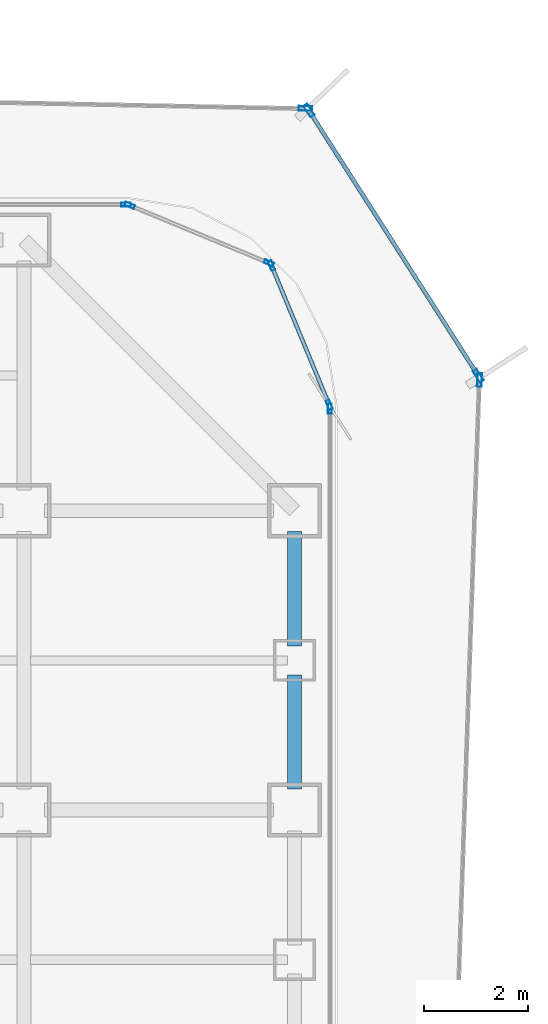
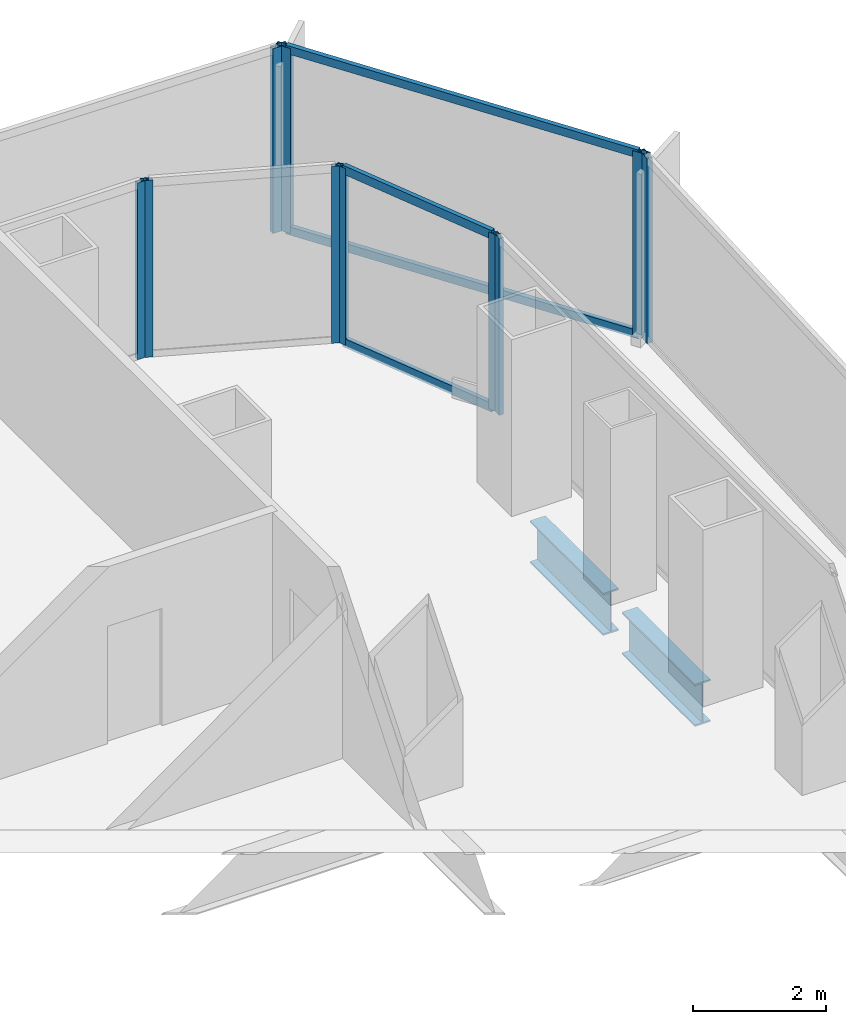
# One storey, part 15 of 22: 14 members, 2 beams, 7 elements without a shape of their own.
"""IFC4 building model written with IfcOpenShell, lengths in metres."""

from ifc_helpers import new_model, si_unit, direction, frame, origin, origin_2d, place, context, subcontext, project, spatial, hollow_rectangle, i_section, extrude, source, transform, mapped, material, layer, layer_set, material_profile, profile_set, type_object, element, aggregate, save


model = new_model("IFC4")

# Units and contexts
model_context = context("Model", 3, precision=1e-05, world=origin(), true_north=direction((0.0, 1.0)))
body_context = subcontext(model_context, "Body", "Model", "MODEL_VIEW")
ifc_project = project(units=[si_unit("LENGTHUNIT", "METRE"), si_unit("AREAUNIT", "SQUARE_METRE"), si_unit("VOLUMEUNIT", "CUBIC_METRE"), si_unit("PLANEANGLEUNIT", "RADIAN"), si_unit("MASSUNIT", "GRAM", prefix="KILO")], contexts=[model_context])

# Site, building, storey
site_placement = place(None, origin())
site = spatial("IfcSite", under=ifc_project, at=site_placement, CompositionType="ELEMENT")
building_placement = place(site_placement, origin())
building = spatial("IfcBuilding", under=site, at=building_placement, Name="Kolveth Station Tower", CompositionType="ELEMENT")
storey_placement = place(building_placement, frame((0.0, 0.0, 84.60009765625)))
storey = spatial("IfcBuildingStorey", under=building, at=storey_placement, Name="L22", CompositionType="ELEMENT", Elevation=84.60009765625)

# Beams
ifc_material_1 = material(Name="Steel S355", Category="steel")
ifc_material_profile_1 = material_profile(ifc_material_1, i_section(OverallWidth=0.26904296875, OverallDepth=0.77490234375, WebThickness=0.01708984375, FlangeThickness=0.0283203125, at=origin_2d()), Name="W760x220")
ifc_profile_set_1 = profile_set([ifc_material_profile_1], Name="Steel S355")
beam_type = type_object("IfcBeamType", Name="Beam_SP1", PredefinedType="SPANDREL", material=ifc_profile_set_1)
shared_shape_1 = source(origin(), body_context, "Body", "SweptSolid", [
    extrude(i_section(OverallWidth=0.26904296875, OverallDepth=0.77490234375, WebThickness=0.01708984375, FlangeThickness=0.0283203125, at=origin_2d()), origin(), (0.0, 0.0, 1.0), 2.2001953125),
])
beam_1_placement = place(storey_placement, frame((46.199951171875, 31.89990234375, -0.66748046875), z_axis=(0.0, 1.0, 0.0), x_axis=(-1.0, 0.0, 0.0)))
element("IfcBeam", 1, at=beam_1_placement, inside=storey, type_object=beam_type, Name="L22 Perimeter Spandrel BM-L22-PE-10", PredefinedType="SPANDREL", context=body_context, shape_type="MappedRepresentation", body=[
    mapped(shared_shape_1, transform((0.0, 0.0, 0.0), x_axis=(1.0, 0.0, 0.0), y_axis=(0.0, 1.0, 0.0), z_axis=(0.0, 0.0, 1.0), scale=1.0)),
])
shared_shape_2 = source(origin(), body_context, "Body", "SweptSolid", [
    extrude(i_section(OverallWidth=0.26904296875, OverallDepth=0.77490234375, WebThickness=0.01708984375, FlangeThickness=0.0283203125, at=origin_2d()), origin(), (0.0, 0.0, 1.0), 2.190185546875),
])
beam_2_placement = place(storey_placement, frame((46.199951171875, 29.14990234375, -0.66748046875), z_axis=(0.0, 1.0, 0.0), x_axis=(-1.0, 0.0, 0.0)))
element("IfcBeam", 2, at=beam_2_placement, inside=storey, type_object=beam_type, Name="L22 Perimeter Spandrel BM-L22-PE-9", PredefinedType="SPANDREL", context=body_context, shape_type="MappedRepresentation", body=[
    mapped(shared_shape_2, transform((0.0, 0.0, 0.0), x_axis=(1.0, 0.0, 0.0), y_axis=(0.0, 1.0, 0.0), z_axis=(0.0, 0.0, 1.0), scale=1.0)),
])

# Curtain wall, members
ifc_material_2 = material(Name="Aluminium 6063-T6 and low-E dark glass", Category="aluminium")
ifc_layer_1 = layer(ifc_material_2, 0.179931640625)
ifc_layer_set_1 = layer_set([ifc_layer_1], Name="Aluminium 6063-T6 and low-E dark glass")
curtain_wall_type_1 = type_object("IfcCurtainWallType", Name="CurtainWall_CW-Z1", PredefinedType="NOTDEFINED", material=ifc_layer_set_1)
curtain_wall_1_placement = place(storey_placement, origin())
curtain_wall_1 = element("IfcCurtainWall", 3, at=curtain_wall_1_placement, inside=storey, type_object=curtain_wall_type_1, Name="L22 Inner Thermal Curtain Wall 4", PredefinedType="NOTDEFINED")
ifc_material_3 = material(Name="Black anodized aluminium 6063-T6", Category="aluminium")
ifc_material_profile_2 = material_profile(ifc_material_3, hollow_rectangle(XDim=0.074951171875, YDim=0.159912109375, WallThickness=0.0048828125, at=origin_2d()), Name="ALU-75x160x5")
ifc_profile_set_2 = profile_set([ifc_material_profile_2], Name="Black anodized aluminium 6063-T6")
member_type_1 = type_object("IfcMemberType", Name="Transom_TR1", PredefinedType="USERDEFINED", material=ifc_profile_set_2)
shared_shape_3 = source(origin(), body_context, "Body", "SweptSolid", [
    extrude(hollow_rectangle(XDim=0.074951171875, YDim=0.159912109375, WallThickness=0.0048828125, at=origin_2d()), origin(), (0.0, 0.0, 1.0), 2.819580078125),
])
member_1_placement = place(storey_placement, frame((46.851318359375, 36.5693359375, 0.037353515625), z_axis=(-0.382708655389, 0.923869084389, 0.0), x_axis=(-0.923869084389, -0.382708655389, 0.0)))
member_1 = element("IfcMember", 4, at=member_1_placement, type_object=member_type_1, Name="CW-Z1 transom 1.1", ObjectType="TRANSOM", PredefinedType="USERDEFINED", context=body_context, shape_type="MappedRepresentation", body=[
    mapped(shared_shape_3, transform((0.0, 0.0, 0.0), x_axis=(1.0, 0.0, 0.0), y_axis=(0.0, 1.0, 0.0), z_axis=(0.0, 0.0, 1.0), scale=1.0)),
])
member_2_placement = place(storey_placement, frame((46.851318359375, 36.5693359375, 3.202392578125), z_axis=(-0.382708655389, 0.923869084389, 0.0), x_axis=(-0.923869084389, -0.382708655389, 0.0)))
member_2 = element("IfcMember", 5, at=member_2_placement, type_object=member_type_1, Name="CW-Z1 transom 1.2", ObjectType="TRANSOM", PredefinedType="USERDEFINED", context=body_context, shape_type="MappedRepresentation", body=[
    mapped(shared_shape_3, transform((0.0, 0.0, 0.0), x_axis=(1.0, 0.0, 0.0), y_axis=(0.0, 1.0, 0.0), z_axis=(0.0, 0.0, 1.0), scale=1.0)),
])

# Curtain wall, member
ifc_material_4 = material(Name="Black anodized aluminium 6063-T6 and dark solar glass", Category="aluminium")
ifc_layer_2 = layer(ifc_material_4, 0.159912109375)
ifc_layer_set_2 = layer_set([ifc_layer_2], Name="Black anodized aluminium 6063-T6 and dark solar glass")
curtain_wall_type_2 = type_object("IfcCurtainWallType", Name="OUTER SKIN CW-OS", PredefinedType="NOTDEFINED", material=ifc_layer_set_2)
curtain_wall_2_placement = place(storey_placement, origin())
curtain_wall_2 = element("IfcCurtainWall", 6, at=curtain_wall_2_placement, inside=storey, type_object=curtain_wall_type_2, Name="L22 Outer Ventilated Skin Curtain Wall 2", PredefinedType="NOTDEFINED")
ifc_material_profile_3 = material_profile(ifc_material_3, hollow_rectangle(XDim=0.090087890625, YDim=0.260009765625, WallThickness=0.0048828125, at=origin_2d()), Name="ALU-90x260x5")
ifc_profile_set_3 = profile_set([ifc_material_profile_3], Name="Black anodized aluminium 6063-T6")
member_type_2 = type_object("IfcMemberType", Name="FIN MULLION ML-OS", PredefinedType="MULLION", material=ifc_profile_set_3)
shared_shape_4 = source(origin(), body_context, "Body", "SweptSolid", [
    extrude(hollow_rectangle(XDim=0.090087890625, YDim=0.260009765625, WallThickness=0.0048828125, at=origin_2d()), origin(), (0.0, 0.0, 1.0), 3.389892578125),
])
member_3_placement = place(storey_placement, frame((49.753173828125, 37.010498046875, 0.0), z_axis=(0.0, 0.0, 1.0), x_axis=(-0.999412044869, 0.034286507121, 0.0)))
member_3 = element("IfcMember", 7, at=member_3_placement, type_object=member_type_2, Name="CW-OS mullion 2", PredefinedType="MULLION", context=body_context, shape_type="MappedRepresentation", body=[
    mapped(shared_shape_4, transform((0.0, 0.0, 0.0), x_axis=(1.0, 0.0, 0.0), y_axis=(0.0, 1.0, 0.0), z_axis=(0.0, 0.0, 1.0), scale=1.0)),
])
aggregate(curtain_wall_2, [member_3])

# Curtain wall, members
curtain_wall_3_placement = place(storey_placement, origin())
curtain_wall_3 = element("IfcCurtainWall", 8, at=curtain_wall_3_placement, inside=storey, type_object=curtain_wall_type_2, Name="L22 Outer Ventilated Skin Curtain Wall 3", PredefinedType="NOTDEFINED")
member_4_placement = place(storey_placement, frame((49.73046875, 37.09326171875, 0.0), z_axis=(0.0, 0.0, 1.0), x_axis=(-0.842853330631, -0.538143348044, 0.0)))
member_4 = element("IfcMember", 9, at=member_4_placement, type_object=member_type_2, Name="CW-OS mullion 1", PredefinedType="MULLION", context=body_context, shape_type="MappedRepresentation", body=[
    mapped(shared_shape_4, transform((0.0, 0.0, 0.0), x_axis=(1.0, 0.0, 0.0), y_axis=(0.0, 1.0, 0.0), z_axis=(0.0, 0.0, 1.0), scale=1.0)),
])
member_5_placement = place(storey_placement, frame((46.476318359375, 42.189697265625, 0.0), z_axis=(0.0, 0.0, 1.0), x_axis=(-0.842853330631, -0.538143348044, 0.0)))
member_5 = element("IfcMember", 10, at=member_5_placement, type_object=member_type_2, Name="CW-OS mullion 2", PredefinedType="MULLION", context=body_context, shape_type="MappedRepresentation", body=[
    mapped(shared_shape_4, transform((0.0, 0.0, 0.0), x_axis=(1.0, 0.0, 0.0), y_axis=(0.0, 1.0, 0.0), z_axis=(0.0, 0.0, 1.0), scale=1.0)),
])

# Curtain wall, member
curtain_wall_4_placement = place(storey_placement, origin())
curtain_wall_4 = element("IfcCurtainWall", 11, at=curtain_wall_4_placement, inside=storey, type_object=curtain_wall_type_2, Name="L22 Outer Ventilated Skin Curtain Wall 4", PredefinedType="NOTDEFINED")
member_6_placement = place(storey_placement, frame((46.4072265625, 42.228515625, 0.0), z_axis=(0.0, 0.0, 1.0), x_axis=(-0.020048935948, -0.999798999883, 0.0)))
member_6 = element("IfcMember", 12, at=member_6_placement, type_object=member_type_2, Name="CW-OS mullion 1", PredefinedType="MULLION", context=body_context, shape_type="MappedRepresentation", body=[
    mapped(shared_shape_4, transform((0.0, 0.0, 0.0), x_axis=(1.0, 0.0, 0.0), y_axis=(0.0, 1.0, 0.0), z_axis=(0.0, 0.0, 1.0), scale=1.0)),
])
aggregate(curtain_wall_4, [member_6])

curtain_wall_5_placement = place(storey_placement, origin())
curtain_wall_5 = element("IfcCurtainWall", 13, at=curtain_wall_5_placement, inside=storey, type_object=curtain_wall_type_1, Name="L22 Inner Thermal Curtain Wall 3", PredefinedType="NOTDEFINED")
ifc_material_profile_4 = material_profile(ifc_material_3, hollow_rectangle(XDim=0.074951171875, YDim=0.18994140625, WallThickness=0.0048828125, at=origin_2d()), Name="ALU-75x190x5")
ifc_profile_set_4 = profile_set([ifc_material_profile_4], Name="Black anodized aluminium 6063-T6")
member_type_3 = type_object("IfcMemberType", Name="Mullion_ML1", PredefinedType="MULLION", material=ifc_profile_set_4)
shared_shape_5 = source(origin(), body_context, "Body", "SweptSolid", [
    extrude(hollow_rectangle(XDim=0.074951171875, YDim=0.18994140625, WallThickness=0.0048828125, at=origin_2d()), origin(), (0.0, 0.0, 1.0), 3.239990234375),
])
member_7_placement = place(storey_placement, frame((46.8798828125, 36.46240234375, 0.0), z_axis=(0.0, 0.0, 1.0), x_axis=(-1.0, 0.0, 0.0)))
member_7 = element("IfcMember", 14, at=member_7_placement, type_object=member_type_3, Name="CW-Z1 mullion 2", PredefinedType="MULLION", context=body_context, shape_type="MappedRepresentation", body=[
    mapped(shared_shape_5, transform((0.0, 0.0, 0.0), x_axis=(1.0, 0.0, 0.0), y_axis=(0.0, 1.0, 0.0), z_axis=(0.0, 0.0, 1.0), scale=1.0)),
])
aggregate(curtain_wall_5, [member_7])

# Member
member_8_placement = place(storey_placement, frame((46.86572265625, 36.53466796875, 0.0), z_axis=(0.0, 0.0, 1.0), x_axis=(-0.923883857728, -0.382672990201, 0.0)))
member_8 = element("IfcMember", 15, at=member_8_placement, type_object=member_type_3, Name="CW-Z1 mullion 1", PredefinedType="MULLION", context=body_context, shape_type="MappedRepresentation", body=[
    mapped(shared_shape_5, transform((0.0, 0.0, 0.0), x_axis=(1.0, 0.0, 0.0), y_axis=(0.0, 1.0, 0.0), z_axis=(0.0, 0.0, 1.0), scale=1.0)),
])

member_9_placement = place(storey_placement, frame((45.758056640625, 39.208984375, 0.0), z_axis=(0.0, 0.0, 1.0), x_axis=(-0.923883857728, -0.382672990201, 0.0)))
member_9 = element("IfcMember", 16, at=member_9_placement, type_object=member_type_3, Name="CW-Z1 mullion 2", PredefinedType="MULLION", context=body_context, shape_type="MappedRepresentation", body=[
    mapped(shared_shape_5, transform((0.0, 0.0, 0.0), x_axis=(1.0, 0.0, 0.0), y_axis=(0.0, 1.0, 0.0), z_axis=(0.0, 0.0, 1.0), scale=1.0)),
])

aggregate(curtain_wall_1, [member_8, member_9, member_1, member_2])

# Curtain wall, members
curtain_wall_6_placement = place(storey_placement, origin())
curtain_wall_6 = element("IfcCurtainWall", 17, at=curtain_wall_6_placement, inside=storey, type_object=curtain_wall_type_1, Name="L22 Inner Thermal Curtain Wall 5", PredefinedType="NOTDEFINED")
member_10_placement = place(storey_placement, frame((45.708984375, 39.258056640625, 0.0), z_axis=(0.0, 0.0, 1.0), x_axis=(-0.382672990201, -0.923883857728, 0.0)))
member_10 = element("IfcMember", 18, at=member_10_placement, type_object=member_type_3, Name="CW-Z1 mullion 1", PredefinedType="MULLION", context=body_context, shape_type="MappedRepresentation", body=[
    mapped(shared_shape_5, transform((0.0, 0.0, 0.0), x_axis=(1.0, 0.0, 0.0), y_axis=(0.0, 1.0, 0.0), z_axis=(0.0, 0.0, 1.0), scale=1.0)),
])
member_11_placement = place(storey_placement, frame((43.03466796875, 40.36572265625, 0.0), z_axis=(0.0, 0.0, 1.0), x_axis=(-0.382672990201, -0.923883857728, 0.0)))
member_11 = element("IfcMember", 19, at=member_11_placement, type_object=member_type_3, Name="CW-Z1 mullion 2", PredefinedType="MULLION", context=body_context, shape_type="MappedRepresentation", body=[
    mapped(shared_shape_5, transform((0.0, 0.0, 0.0), x_axis=(1.0, 0.0, 0.0), y_axis=(0.0, 1.0, 0.0), z_axis=(0.0, 0.0, 1.0), scale=1.0)),
])
aggregate(curtain_wall_6, [member_10, member_11])

# Curtain wall, member
curtain_wall_7_placement = place(storey_placement, origin())
curtain_wall_7 = element("IfcCurtainWall", 20, at=curtain_wall_7_placement, inside=storey, type_object=curtain_wall_type_1, Name="L22 Inner Thermal Curtain Wall 6", PredefinedType="NOTDEFINED")
member_12_placement = place(storey_placement, frame((42.96240234375, 40.3798828125, 0.0), z_axis=(0.0, 0.0, 1.0), x_axis=(0.0, -1.0, 0.0)))
member_12 = element("IfcMember", 21, at=member_12_placement, type_object=member_type_3, Name="CW-Z1 mullion 1", PredefinedType="MULLION", context=body_context, shape_type="MappedRepresentation", body=[
    mapped(shared_shape_5, transform((0.0, 0.0, 0.0), x_axis=(1.0, 0.0, 0.0), y_axis=(0.0, 1.0, 0.0), z_axis=(0.0, 0.0, 1.0), scale=1.0)),
])
aggregate(curtain_wall_7, [member_12])

# Member
ifc_material_profile_5 = material_profile(ifc_material_3, hollow_rectangle(XDim=0.080078125, YDim=0.14990234375, WallThickness=0.0048828125, at=origin_2d()), Name="ALU-80x150x5")
ifc_profile_set_5 = profile_set([ifc_material_profile_5], Name="Black anodized aluminium 6063-T6")
member_type_4 = type_object("IfcMemberType", Name="Transom_TR-OS", PredefinedType="USERDEFINED", material=ifc_profile_set_5)
shared_shape_6 = source(origin(), body_context, "Body", "SweptSolid", [
    extrude(hollow_rectangle(XDim=0.080078125, YDim=0.14990234375, WallThickness=0.0048828125, at=origin_2d()), origin(), (0.0, 0.0, 1.0), 5.95654296875),
])
member_13_placement = place(storey_placement, frame((49.7060546875, 37.13134765625, 0.039794921875), z_axis=(-0.538124056113, 0.842865647795, 0.0), x_axis=(-0.842865647795, -0.538124056113, 0.0)))
member_13 = element("IfcMember", 22, at=member_13_placement, type_object=member_type_4, Name="CW-OS transom 1.1", ObjectType="TRANSOM", PredefinedType="USERDEFINED", context=body_context, shape_type="MappedRepresentation", body=[
    mapped(shared_shape_6, transform((0.0, 0.0, 0.0), x_axis=(1.0, 0.0, 0.0), y_axis=(0.0, 1.0, 0.0), z_axis=(0.0, 0.0, 1.0), scale=1.0)),
])

member_14_placement = place(storey_placement, frame((49.7060546875, 37.13134765625, 3.349853515625), z_axis=(-0.538124056113, 0.842865647795, 0.0), x_axis=(-0.842865647795, -0.538124056113, 0.0)))
member_14 = element("IfcMember", 23, at=member_14_placement, type_object=member_type_4, Name="CW-OS transom 1.2", ObjectType="TRANSOM", PredefinedType="USERDEFINED", context=body_context, shape_type="MappedRepresentation", body=[
    mapped(shared_shape_6, transform((0.0, 0.0, 0.0), x_axis=(1.0, 0.0, 0.0), y_axis=(0.0, 1.0, 0.0), z_axis=(0.0, 0.0, 1.0), scale=1.0)),
])

aggregate(curtain_wall_3, [member_4, member_5, member_13, member_14])

save(model, "model.ifc")
